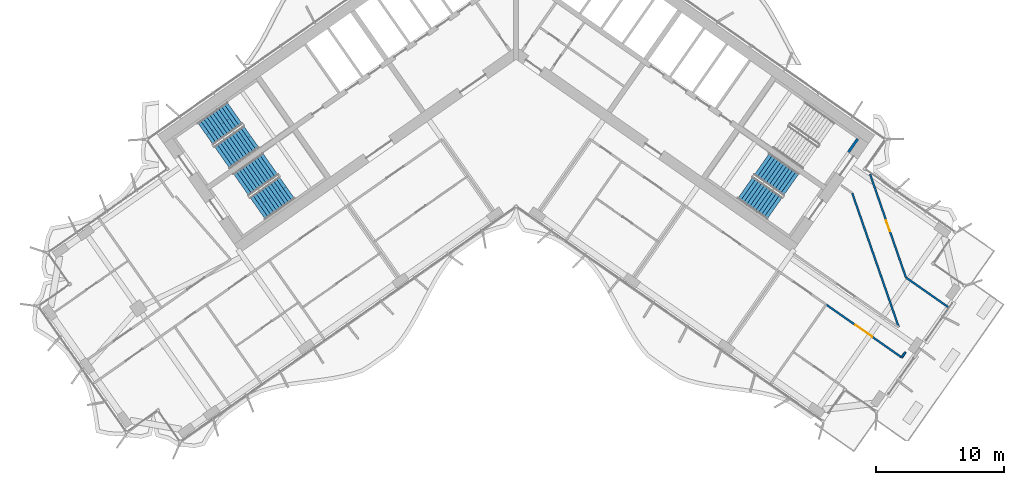
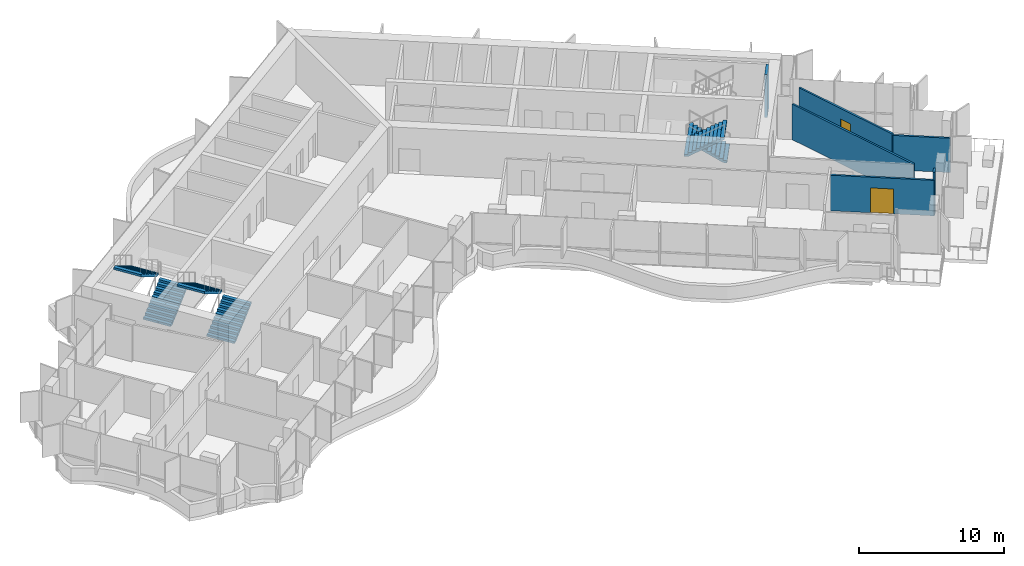
# One storey, part 16 of 23: 6 stair flights, 6 walls, 2 doors, 2 openings, 3 elements without a shape of their own.
"""IFC4 building model written with IfcOpenShell, lengths in metres."""

from ifc_helpers import new_model, si_unit, direction, frame, frame_2d, origin, place, context, subcontext, project, spatial, polyline, rectangle, outline, extrude, material, layer, layer_set, type_object, element, fill, aggregate, save


model = new_model("IFC4")

# Units and contexts
model_context = context("Model", 3, precision=1e-05, world=origin(), true_north=direction((0.0, 1.0)))
body_context = subcontext(model_context, "Body", "Model", "MODEL_VIEW")
ifc_project = project(units=[si_unit("LENGTHUNIT", "METRE"), si_unit("AREAUNIT", "SQUARE_METRE"), si_unit("VOLUMEUNIT", "CUBIC_METRE"), si_unit("PLANEANGLEUNIT", "RADIAN"), si_unit("MASSUNIT", "GRAM", prefix="KILO")], contexts=[model_context])

# Site, building, storey
site_placement = place(None, origin())
site = spatial("IfcSite", under=ifc_project, at=site_placement, CompositionType="ELEMENT")
building_placement = place(site_placement, origin())
building = spatial("IfcBuilding", under=site, at=building_placement, Name="Tel Ilan Convention Tower", CompositionType="ELEMENT")
storey_placement = place(building_placement, frame((0.0, 0.0, 190.5)))
storey = spatial("IfcBuildingStorey", under=building, at=storey_placement, Name="L44", CompositionType="ELEMENT", Elevation=190.5)

# Wall, opening, door
ifc_material_1 = material(Name="Plasterboard on Steel Studs", Category="steel")
ifc_layer_1 = layer(ifc_material_1, 0.14990234375)
ifc_layer_set_1 = layer_set([ifc_layer_1], Name="Fire-rated Partition 150 EI 60")
wall_type_1 = type_object("IfcWallType", Name="Fire-rated Partition 150 EI 60", PredefinedType="PARTITIONING", material=ifc_layer_set_1)
wall_1_placement = place(storey_placement, frame((30.09521484375, -24.4912109375, 0.0), z_axis=(0.0, 0.0, 1.0), x_axis=(-0.819144322262, 0.57358746439, 0.0)))
wall_1 = element("IfcWall", 1, at=wall_1_placement, inside=storey, type_object=wall_type_1, Name="Partition 006", PredefinedType="PARTITIONING", context=body_context, shape_type="SweptSolid", body=[
    extrude(rectangle(XDim=7.2021484375, YDim=0.14990234375, at=frame_2d((3.60107421875, 0.0))), origin(), (0.0, 0.0, 1.0), 3.0),
])
opening_1_placement = place(wall_1_placement, frame((2.801025390625, 0.0, 0.0)))
opening_1 = element("IfcOpeningElement", 2, at=opening_1_placement, cuts=wall_1, Name="Opening L44-017", PredefinedType="OPENING", context=body_context, shape_type="SweptSolid", body=[
    extrude(rectangle(XDim=1.60009765625, YDim=2.10009765625, at=frame_2d((0.800048828125, 1.050048828125))), frame((0.0, 0.0849609375, 0.0), z_axis=(0.0, -1.0, 0.0), x_axis=(1.0, 0.0, 0.0)), (0.0, 0.0, 1.0), 0.169921875),
])
ifc_material_2 = material(Name="Timber Door Leaf in Steel Frame", Category="steel")
door_type_1 = type_object("IfcDoorType", Name="Tenant Suite Entrance Fire Door 1600x2100", OperationType="NOTDEFINED", PredefinedType="DOOR", material=ifc_material_2)
door_1_placement = place(opening_1_placement, origin())
door_1 = element("IfcDoor", 3, at=door_1_placement, inside=storey, type_object=door_type_1, Name="Door L44-017", OperationType="DOUBLE_DOOR_SINGLE_SWING", OverallHeight=2.10009765625, OverallWidth=1.60009765625, PredefinedType="DOOR", context=body_context, shape_type="SweptSolid", body=[
    extrude(rectangle(XDim=1.60009765625, YDim=2.10009765625, at=frame_2d((0.800048828125, 1.050048828125))), frame((0.0, 0.02490234375, 0.0), z_axis=(0.0, -1.0, 0.0), x_axis=(1.0, 0.0, 0.0)), (0.0, 0.0, 1.0), 0.050048828125),
])
fill(opening_1, door_1)

# Wall
wall_2_placement = place(storey_placement, frame((30.390869140625, -24.06884765625, 0.0), z_axis=(0.0, 0.0, 1.0), x_axis=(-0.573462344363, -0.819231920519, 0.0)))
element("IfcWall", 4, at=wall_2_placement, inside=storey, type_object=wall_type_1, Name="Partition 007", PredefinedType="PARTITIONING", context=body_context, shape_type="SweptSolid", body=[
    extrude(rectangle(XDim=0.515625, YDim=0.14990234375, at=frame_2d((0.2578125, 0.0))), origin(), (0.0, 0.0, 1.0), 3.6201171875),
])

# Wall, opening, door
wall_3_placement = place(storey_placement, frame((30.42529296875, -18.2509765625, 0.0), z_axis=(0.0, 0.0, 1.0), x_axis=(-0.328044658963, 0.944662215676, 0.0)))
wall_3 = element("IfcWall", 5, at=wall_3_placement, inside=storey, type_object=wall_type_1, Name="Partition 015", PredefinedType="PARTITIONING", context=body_context, shape_type="SweptSolid", body=[
    extrude(rectangle(XDim=8.53564453125, YDim=0.14990234375, at=frame_2d((4.267822265625, 0.0))), origin(), (0.0, 0.0, 1.0), 3.0),
])
opening_2_placement = place(wall_3_placement, frame((3.81787109375, 0.0, 0.0)))
opening_2 = element("IfcOpeningElement", 6, at=opening_2_placement, cuts=wall_3, Name="Opening L44-020", PredefinedType="OPENING", context=body_context, shape_type="SweptSolid", body=[
    extrude(rectangle(XDim=0.89990234375, YDim=2.10009765625, at=frame_2d((0.449951171875, 1.050048828125))), frame((0.0, 0.0849609375, 0.0), z_axis=(0.0, -1.0, 0.0), x_axis=(1.0, 0.0, 0.0)), (0.0, 0.0, 1.0), 0.169921875),
])
ifc_material_3 = material(Name="Timber Door Leaf in Steel Frame", Category="steel")
door_type_2 = type_object("IfcDoorType", Name="Room Fire Door 900x2100", OperationType="NOTDEFINED", PredefinedType="DOOR", material=ifc_material_3)
door_2_placement = place(opening_2_placement, origin())
door_2 = element("IfcDoor", 7, at=door_2_placement, inside=storey, type_object=door_type_2, Name="Door L44-020", OperationType="SINGLE_SWING_LEFT", OverallHeight=2.10009765625, OverallWidth=0.89990234375, PredefinedType="DOOR", context=body_context, shape_type="SweptSolid", body=[
    extrude(rectangle(XDim=0.89990234375, YDim=2.10009765625, at=frame_2d((0.449951171875, 1.050048828125))), frame((0.0, 0.02490234375, 0.0), z_axis=(0.0, -1.0, 0.0), x_axis=(1.0, 0.0, 0.0)), (0.0, 0.0, 1.0), 0.050048828125),
])
fill(opening_2, door_2)

# Walls
wall_4_placement = place(storey_placement, frame((33.708984375, -20.55029296875, 0.0), z_axis=(0.0, 0.0, 1.0), x_axis=(-0.819146074823, 0.573584961538, 0.0)))
element("IfcWall", 8, at=wall_4_placement, inside=storey, type_object=wall_type_1, Name="Partition 016", PredefinedType="PARTITIONING", context=body_context, shape_type="SweptSolid", body=[
    extrude(rectangle(XDim=4.0087890625, YDim=0.14990234375, at=frame_2d((2.00439453125, 0.0))), origin(), (0.0, 0.0, 1.0), 2.89990234375),
])
wall_5_placement = place(storey_placement, frame((26.227783203125, -11.65087890625, 0.0), z_axis=(0.0, 0.0, 1.0), x_axis=(0.328068399041, -0.944653971331, 0.0)))
element("IfcWall", 9, at=wall_5_placement, inside=storey, type_object=wall_type_1, Name="Partition 018", PredefinedType="PARTITIONING", context=body_context, shape_type="SweptSolid", body=[
    extrude(rectangle(XDim=11.0986328125, YDim=0.14990234375, at=frame_2d((5.54931640625, 0.0))), origin(), (0.0, 0.0, 1.0), 3.0),
])
ifc_material_4 = material(Name="Concrete C30/37", Category="concrete")
ifc_layer_2 = layer(ifc_material_4, 0.199951171875)
ifc_layer_set_2 = layer_set([ifc_layer_2], Name="Stair and Shaft Lining Wall 200 mm C30/37")
wall_type_2 = type_object("IfcWallType", Name="Stair and Shaft Lining Wall 200 mm C30/37", PredefinedType="SOLIDWALL", material=ifc_layer_set_2)
wall_6_placement = place(storey_placement, frame((25.939697265625, -8.4580078125, 0.0), z_axis=(0.0, 0.0, 1.0), x_axis=(0.573619628835, 0.819121798889, 0.0)))
element("IfcWall", 10, at=wall_6_placement, inside=storey, type_object=wall_type_2, Name="L44 core wall lining-S3-u1-1", PredefinedType="SOLIDWALL", context=body_context, shape_type="SweptSolid", body=[
    extrude(rectangle(XDim=1.25, YDim=0.199951171875, at=frame_2d((0.625, 0.0))), origin(), (0.0, 0.0, 1.0), 3.6201171875),
])

# Stair, stair flights
ifc_material_5 = material(Name="Concrete C40/50", Category="concrete")
stair_type = type_object("IfcStairType", Name="Pressurised Exit Stair 22 risers 177 mm", PredefinedType="HALF_TURN_STAIR", material=ifc_material_5)
stair_1_placement = place(storey_placement, origin())
stair_1 = element("IfcStair", 11, at=stair_1_placement, inside=storey, type_object=stair_type, Name="L44 Pressurised Stair S1", PredefinedType="HALF_TURN_STAIR")
ifc_material_6 = material(Name="Precast Concrete C40/50", Category="concrete")
stair_flight_type = type_object("IfcStairFlightType", Name="Concrete Stair Flight 2100 mm 22 risers 177 mm", PredefinedType="STRAIGHT", material=ifc_material_6)
stair_flight_1_placement = place(storey_placement, frame((-22.9619140625, -8.87548828125, 0.0), z_axis=(0.0, 0.0, 1.0), x_axis=(0.819152044289, 0.573576436351, 0.0)))
stair_flight_1 = element("IfcStairFlight", 12, at=stair_flight_1_placement, type_object=stair_flight_type, Name="S1 flight 1", NumberOfRisers=11, NumberOfTreads=10, PredefinedType="STRAIGHT", RiserHeight=0.177272727, TreadLength=0.28, context=body_context, shape_type="SweptSolid", body=[
    extrude(outline(polyline([(0.0, 0.0), (0.0, 0.17724609375), (0.280029296875, 0.17724609375), (0.280029296875, 0.3544921875), (0.56005859375, 0.3544921875), (0.56005859375, 0.53173828125), (0.840087890625, 0.53173828125), (0.840087890625, 0.708984375), (1.1201171875, 0.708984375), (1.1201171875, 0.886474609375), (1.39990234375, 0.886474609375), (1.39990234375, 1.063720703125), (1.679931640625, 1.063720703125), (1.679931640625, 1.240966796875), (1.9599609375, 1.240966796875), (1.9599609375, 1.418212890625), (2.239990234375, 1.418212890625), (2.239990234375, 1.595458984375), (2.52001953125, 1.595458984375), (2.52001953125, 1.772705078125), (2.800048828125, 1.772705078125), (2.800048828125, 1.949951171875), (2.800048828125, 1.59521484375), (0.2802734375, 0.0), (0.0, 0.0)])), frame((0.0, -0.100341796875, 0.0), z_axis=(0.0, -1.0, 0.0), x_axis=(1.0, 0.0, 0.0)), (0.0, 0.0, 1.0), 0.94970703125),
    extrude(outline(polyline([(0.0, 0.0), (0.0, 0.17724609375), (0.280029296875, 0.17724609375), (0.280029296875, 0.3544921875), (0.56005859375, 0.3544921875), (0.56005859375, 0.53173828125), (0.840087890625, 0.53173828125), (0.840087890625, 0.708984375), (1.1201171875, 0.708984375), (1.1201171875, 0.886474609375), (1.39990234375, 0.886474609375), (1.39990234375, 1.063720703125), (1.679931640625, 1.063720703125), (1.679931640625, 1.240966796875), (1.9599609375, 1.240966796875), (1.9599609375, 1.418212890625), (2.239990234375, 1.418212890625), (2.239990234375, 1.595458984375), (2.52001953125, 1.595458984375), (2.52001953125, 1.772705078125), (2.800048828125, 1.772705078125), (2.800048828125, 1.949951171875), (2.800048828125, 1.59521484375), (0.2802734375, 0.0), (0.0, 0.0)])), frame((0.0, -0.000244140625, 0.0), z_axis=(0.0, -1.0, 0.0), x_axis=(1.0, 0.0, 0.0)), (0.0, 0.0, 1.0), 0.099609375),
    extrude(outline(polyline([(0.0, 0.0), (0.0, 0.17724609375), (0.280029296875, 0.17724609375), (0.280029296875, 0.3544921875), (0.56005859375, 0.3544921875), (0.56005859375, 0.53173828125), (0.840087890625, 0.53173828125), (0.840087890625, 0.708984375), (1.1201171875, 0.708984375), (1.1201171875, 0.886474609375), (1.39990234375, 0.886474609375), (1.39990234375, 1.063720703125), (1.679931640625, 1.063720703125), (1.679931640625, 1.240966796875), (1.9599609375, 1.240966796875), (1.9599609375, 1.418212890625), (2.239990234375, 1.418212890625), (2.239990234375, 1.595458984375), (2.52001953125, 1.595458984375), (2.52001953125, 1.772705078125), (2.800048828125, 1.772705078125), (2.800048828125, 1.949951171875), (2.800048828125, 1.59521484375), (0.2802734375, 0.0), (0.0, 0.0)])), frame((0.0, 0.099853515625, 0.0), z_axis=(0.0, -1.0, 0.0), x_axis=(1.0, 0.0, 0.0)), (0.0, 0.0, 1.0), 0.099609375),
    extrude(outline(polyline([(0.0, 0.0), (0.0, 0.17724609375), (0.280029296875, 0.17724609375), (0.280029296875, 0.3544921875), (0.56005859375, 0.3544921875), (0.56005859375, 0.53173828125), (0.840087890625, 0.53173828125), (0.840087890625, 0.708984375), (1.1201171875, 0.708984375), (1.1201171875, 0.886474609375), (1.39990234375, 0.886474609375), (1.39990234375, 1.063720703125), (1.679931640625, 1.063720703125), (1.679931640625, 1.240966796875), (1.9599609375, 1.240966796875), (1.9599609375, 1.418212890625), (2.239990234375, 1.418212890625), (2.239990234375, 1.595458984375), (2.52001953125, 1.595458984375), (2.52001953125, 1.772705078125), (2.800048828125, 1.772705078125), (2.800048828125, 1.949951171875), (2.800048828125, 1.59521484375), (0.2802734375, 0.0), (0.0, 0.0)])), frame((0.0, 1.050048828125, 0.0), z_axis=(0.0, -1.0, 0.0), x_axis=(1.0, 0.0, 0.0)), (0.0, 0.0, 1.0), 0.94970703125),
])
stair_flight_2_placement = place(storey_placement, frame((-21.958740234375, -5.42626953125, 1.949951171875), z_axis=(0.0, 0.0, 1.0), x_axis=(-0.819152044289, -0.573576436351, 0.0)))
stair_flight_2 = element("IfcStairFlight", 13, at=stair_flight_2_placement, type_object=stair_flight_type, Name="S1 flight 2", NumberOfRisers=11, NumberOfTreads=10, PredefinedType="STRAIGHT", RiserHeight=0.177272727, TreadLength=0.28, context=body_context, shape_type="SweptSolid", body=[
    extrude(outline(polyline([(0.0, 0.0), (0.0, 0.17724609375), (0.280029296875, 0.17724609375), (0.280029296875, 0.3544921875), (0.56005859375, 0.3544921875), (0.56005859375, 0.53173828125), (0.840087890625, 0.53173828125), (0.840087890625, 0.708984375), (1.1201171875, 0.708984375), (1.1201171875, 0.886474609375), (1.39990234375, 0.886474609375), (1.39990234375, 1.063720703125), (1.679931640625, 1.063720703125), (1.679931640625, 1.240966796875), (1.9599609375, 1.240966796875), (1.9599609375, 1.418212890625), (2.239990234375, 1.418212890625), (2.239990234375, 1.595458984375), (2.52001953125, 1.595458984375), (2.52001953125, 1.772705078125), (2.800048828125, 1.772705078125), (2.800048828125, 1.949951171875), (2.800048828125, 1.59521484375), (0.2802734375, 0.0), (0.0, 0.0)])), frame((0.0, -0.100341796875, 0.0), z_axis=(0.0, -1.0, 0.0), x_axis=(1.0, 0.0, 0.0)), (0.0, 0.0, 1.0), 0.94970703125),
    extrude(outline(polyline([(0.0, 0.0), (0.0, 0.17724609375), (0.280029296875, 0.17724609375), (0.280029296875, 0.3544921875), (0.56005859375, 0.3544921875), (0.56005859375, 0.53173828125), (0.840087890625, 0.53173828125), (0.840087890625, 0.708984375), (1.1201171875, 0.708984375), (1.1201171875, 0.886474609375), (1.39990234375, 0.886474609375), (1.39990234375, 1.063720703125), (1.679931640625, 1.063720703125), (1.679931640625, 1.240966796875), (1.9599609375, 1.240966796875), (1.9599609375, 1.418212890625), (2.239990234375, 1.418212890625), (2.239990234375, 1.595458984375), (2.52001953125, 1.595458984375), (2.52001953125, 1.772705078125), (2.800048828125, 1.772705078125), (2.800048828125, 1.949951171875), (2.800048828125, 1.59521484375), (0.2802734375, 0.0), (0.0, 0.0)])), frame((0.0, -0.000244140625, 0.0), z_axis=(0.0, -1.0, 0.0), x_axis=(1.0, 0.0, 0.0)), (0.0, 0.0, 1.0), 0.099609375),
    extrude(outline(polyline([(0.0, 0.0), (0.0, 0.17724609375), (0.280029296875, 0.17724609375), (0.280029296875, 0.3544921875), (0.56005859375, 0.3544921875), (0.56005859375, 0.53173828125), (0.840087890625, 0.53173828125), (0.840087890625, 0.708984375), (1.1201171875, 0.708984375), (1.1201171875, 0.886474609375), (1.39990234375, 0.886474609375), (1.39990234375, 1.063720703125), (1.679931640625, 1.063720703125), (1.679931640625, 1.240966796875), (1.9599609375, 1.240966796875), (1.9599609375, 1.418212890625), (2.239990234375, 1.418212890625), (2.239990234375, 1.595458984375), (2.52001953125, 1.595458984375), (2.52001953125, 1.772705078125), (2.800048828125, 1.772705078125), (2.800048828125, 1.949951171875), (2.800048828125, 1.59521484375), (0.2802734375, 0.0), (0.0, 0.0)])), frame((0.0, 0.099853515625, 0.0), z_axis=(0.0, -1.0, 0.0), x_axis=(1.0, 0.0, 0.0)), (0.0, 0.0, 1.0), 0.099609375),
    extrude(outline(polyline([(0.0, 0.0), (0.0, 0.17724609375), (0.280029296875, 0.17724609375), (0.280029296875, 0.3544921875), (0.56005859375, 0.3544921875), (0.56005859375, 0.53173828125), (0.840087890625, 0.53173828125), (0.840087890625, 0.708984375), (1.1201171875, 0.708984375), (1.1201171875, 0.886474609375), (1.39990234375, 0.886474609375), (1.39990234375, 1.063720703125), (1.679931640625, 1.063720703125), (1.679931640625, 1.240966796875), (1.9599609375, 1.240966796875), (1.9599609375, 1.418212890625), (2.239990234375, 1.418212890625), (2.239990234375, 1.595458984375), (2.52001953125, 1.595458984375), (2.52001953125, 1.772705078125), (2.800048828125, 1.772705078125), (2.800048828125, 1.949951171875), (2.800048828125, 1.59521484375), (0.2802734375, 0.0), (0.0, 0.0)])), frame((0.0, 1.050048828125, 0.0), z_axis=(0.0, -1.0, 0.0), x_axis=(1.0, 0.0, 0.0)), (0.0, 0.0, 1.0), 0.94970703125),
])
aggregate(stair_1, [stair_flight_1, stair_flight_2])

stair_2_placement = place(storey_placement, origin())
stair_2 = element("IfcStair", 14, at=stair_2_placement, inside=storey, type_object=stair_type, Name="L44 Pressurised Stair S2", PredefinedType="HALF_TURN_STAIR")
stair_flight_3_placement = place(storey_placement, frame((-20.179931640625, -12.848388671875, 0.0), z_axis=(0.0, 0.0, 1.0), x_axis=(0.819152044289, 0.573576436351, 0.0)))
stair_flight_3 = element("IfcStairFlight", 15, at=stair_flight_3_placement, type_object=stair_flight_type, Name="S2 flight 1", NumberOfRisers=11, NumberOfTreads=10, PredefinedType="STRAIGHT", RiserHeight=0.177272727, TreadLength=0.28, context=body_context, shape_type="SweptSolid", body=[
    extrude(outline(polyline([(0.0, 0.0), (0.0, 0.17724609375), (0.280029296875, 0.17724609375), (0.280029296875, 0.3544921875), (0.56005859375, 0.3544921875), (0.56005859375, 0.53173828125), (0.840087890625, 0.53173828125), (0.840087890625, 0.708984375), (1.1201171875, 0.708984375), (1.1201171875, 0.886474609375), (1.39990234375, 0.886474609375), (1.39990234375, 1.063720703125), (1.679931640625, 1.063720703125), (1.679931640625, 1.240966796875), (1.9599609375, 1.240966796875), (1.9599609375, 1.418212890625), (2.239990234375, 1.418212890625), (2.239990234375, 1.595458984375), (2.52001953125, 1.595458984375), (2.52001953125, 1.772705078125), (2.800048828125, 1.772705078125), (2.800048828125, 1.949951171875), (2.800048828125, 1.59521484375), (0.2802734375, 0.0), (0.0, 0.0)])), frame((0.0, -0.100341796875, 0.0), z_axis=(0.0, -1.0, 0.0), x_axis=(1.0, 0.0, 0.0)), (0.0, 0.0, 1.0), 0.94970703125),
    extrude(outline(polyline([(0.0, 0.0), (0.0, 0.17724609375), (0.280029296875, 0.17724609375), (0.280029296875, 0.3544921875), (0.56005859375, 0.3544921875), (0.56005859375, 0.53173828125), (0.840087890625, 0.53173828125), (0.840087890625, 0.708984375), (1.1201171875, 0.708984375), (1.1201171875, 0.886474609375), (1.39990234375, 0.886474609375), (1.39990234375, 1.063720703125), (1.679931640625, 1.063720703125), (1.679931640625, 1.240966796875), (1.9599609375, 1.240966796875), (1.9599609375, 1.418212890625), (2.239990234375, 1.418212890625), (2.239990234375, 1.595458984375), (2.52001953125, 1.595458984375), (2.52001953125, 1.772705078125), (2.800048828125, 1.772705078125), (2.800048828125, 1.949951171875), (2.800048828125, 1.59521484375), (0.2802734375, 0.0), (0.0, 0.0)])), frame((0.0, -0.000244140625, 0.0), z_axis=(0.0, -1.0, 0.0), x_axis=(1.0, 0.0, 0.0)), (0.0, 0.0, 1.0), 0.099609375),
    extrude(outline(polyline([(0.0, 0.0), (0.0, 0.17724609375), (0.280029296875, 0.17724609375), (0.280029296875, 0.3544921875), (0.56005859375, 0.3544921875), (0.56005859375, 0.53173828125), (0.840087890625, 0.53173828125), (0.840087890625, 0.708984375), (1.1201171875, 0.708984375), (1.1201171875, 0.886474609375), (1.39990234375, 0.886474609375), (1.39990234375, 1.063720703125), (1.679931640625, 1.063720703125), (1.679931640625, 1.240966796875), (1.9599609375, 1.240966796875), (1.9599609375, 1.418212890625), (2.239990234375, 1.418212890625), (2.239990234375, 1.595458984375), (2.52001953125, 1.595458984375), (2.52001953125, 1.772705078125), (2.800048828125, 1.772705078125), (2.800048828125, 1.949951171875), (2.800048828125, 1.59521484375), (0.2802734375, 0.0), (0.0, 0.0)])), frame((0.0, 0.099853515625, 0.0), z_axis=(0.0, -1.0, 0.0), x_axis=(1.0, 0.0, 0.0)), (0.0, 0.0, 1.0), 0.099609375),
    extrude(outline(polyline([(0.0, 0.0), (0.0, 0.17724609375), (0.280029296875, 0.17724609375), (0.280029296875, 0.3544921875), (0.56005859375, 0.3544921875), (0.56005859375, 0.53173828125), (0.840087890625, 0.53173828125), (0.840087890625, 0.708984375), (1.1201171875, 0.708984375), (1.1201171875, 0.886474609375), (1.39990234375, 0.886474609375), (1.39990234375, 1.063720703125), (1.679931640625, 1.063720703125), (1.679931640625, 1.240966796875), (1.9599609375, 1.240966796875), (1.9599609375, 1.418212890625), (2.239990234375, 1.418212890625), (2.239990234375, 1.595458984375), (2.52001953125, 1.595458984375), (2.52001953125, 1.772705078125), (2.800048828125, 1.772705078125), (2.800048828125, 1.949951171875), (2.800048828125, 1.59521484375), (0.2802734375, 0.0), (0.0, 0.0)])), frame((0.0, 1.050048828125, 0.0), z_axis=(0.0, -1.0, 0.0), x_axis=(1.0, 0.0, 0.0)), (0.0, 0.0, 1.0), 0.94970703125),
])
stair_flight_4_placement = place(storey_placement, frame((-19.177001953125, -9.399169921875, 1.949951171875), z_axis=(0.0, 0.0, 1.0), x_axis=(-0.819152044289, -0.573576436351, 0.0)))
stair_flight_4 = element("IfcStairFlight", 16, at=stair_flight_4_placement, type_object=stair_flight_type, Name="S2 flight 2", NumberOfRisers=11, NumberOfTreads=10, PredefinedType="STRAIGHT", RiserHeight=0.177272727, TreadLength=0.28, context=body_context, shape_type="SweptSolid", body=[
    extrude(outline(polyline([(0.0, 0.0), (0.0, 0.17724609375), (0.280029296875, 0.17724609375), (0.280029296875, 0.3544921875), (0.56005859375, 0.3544921875), (0.56005859375, 0.53173828125), (0.840087890625, 0.53173828125), (0.840087890625, 0.708984375), (1.1201171875, 0.708984375), (1.1201171875, 0.886474609375), (1.39990234375, 0.886474609375), (1.39990234375, 1.063720703125), (1.679931640625, 1.063720703125), (1.679931640625, 1.240966796875), (1.9599609375, 1.240966796875), (1.9599609375, 1.418212890625), (2.239990234375, 1.418212890625), (2.239990234375, 1.595458984375), (2.52001953125, 1.595458984375), (2.52001953125, 1.772705078125), (2.800048828125, 1.772705078125), (2.800048828125, 1.949951171875), (2.800048828125, 1.59521484375), (0.2802734375, 0.0), (0.0, 0.0)])), frame((0.0, -0.100341796875, 0.0), z_axis=(0.0, -1.0, 0.0), x_axis=(1.0, 0.0, 0.0)), (0.0, 0.0, 1.0), 0.94970703125),
    extrude(outline(polyline([(0.0, 0.0), (0.0, 0.17724609375), (0.280029296875, 0.17724609375), (0.280029296875, 0.3544921875), (0.56005859375, 0.3544921875), (0.56005859375, 0.53173828125), (0.840087890625, 0.53173828125), (0.840087890625, 0.708984375), (1.1201171875, 0.708984375), (1.1201171875, 0.886474609375), (1.39990234375, 0.886474609375), (1.39990234375, 1.063720703125), (1.679931640625, 1.063720703125), (1.679931640625, 1.240966796875), (1.9599609375, 1.240966796875), (1.9599609375, 1.418212890625), (2.239990234375, 1.418212890625), (2.239990234375, 1.595458984375), (2.52001953125, 1.595458984375), (2.52001953125, 1.772705078125), (2.800048828125, 1.772705078125), (2.800048828125, 1.949951171875), (2.800048828125, 1.59521484375), (0.2802734375, 0.0), (0.0, 0.0)])), frame((0.0, -0.000244140625, 0.0), z_axis=(0.0, -1.0, 0.0), x_axis=(1.0, 0.0, 0.0)), (0.0, 0.0, 1.0), 0.099609375),
    extrude(outline(polyline([(0.0, 0.0), (0.0, 0.17724609375), (0.280029296875, 0.17724609375), (0.280029296875, 0.3544921875), (0.56005859375, 0.3544921875), (0.56005859375, 0.53173828125), (0.840087890625, 0.53173828125), (0.840087890625, 0.708984375), (1.1201171875, 0.708984375), (1.1201171875, 0.886474609375), (1.39990234375, 0.886474609375), (1.39990234375, 1.063720703125), (1.679931640625, 1.063720703125), (1.679931640625, 1.240966796875), (1.9599609375, 1.240966796875), (1.9599609375, 1.418212890625), (2.239990234375, 1.418212890625), (2.239990234375, 1.595458984375), (2.52001953125, 1.595458984375), (2.52001953125, 1.772705078125), (2.800048828125, 1.772705078125), (2.800048828125, 1.949951171875), (2.800048828125, 1.59521484375), (0.2802734375, 0.0), (0.0, 0.0)])), frame((0.0, 0.099853515625, 0.0), z_axis=(0.0, -1.0, 0.0), x_axis=(1.0, 0.0, 0.0)), (0.0, 0.0, 1.0), 0.099609375),
    extrude(outline(polyline([(0.0, 0.0), (0.0, 0.17724609375), (0.280029296875, 0.17724609375), (0.280029296875, 0.3544921875), (0.56005859375, 0.3544921875), (0.56005859375, 0.53173828125), (0.840087890625, 0.53173828125), (0.840087890625, 0.708984375), (1.1201171875, 0.708984375), (1.1201171875, 0.886474609375), (1.39990234375, 0.886474609375), (1.39990234375, 1.063720703125), (1.679931640625, 1.063720703125), (1.679931640625, 1.240966796875), (1.9599609375, 1.240966796875), (1.9599609375, 1.418212890625), (2.239990234375, 1.418212890625), (2.239990234375, 1.595458984375), (2.52001953125, 1.595458984375), (2.52001953125, 1.772705078125), (2.800048828125, 1.772705078125), (2.800048828125, 1.949951171875), (2.800048828125, 1.59521484375), (0.2802734375, 0.0), (0.0, 0.0)])), frame((0.0, 1.050048828125, 0.0), z_axis=(0.0, -1.0, 0.0), x_axis=(1.0, 0.0, 0.0)), (0.0, 0.0, 1.0), 0.94970703125),
])
aggregate(stair_2, [stair_flight_3, stair_flight_4])

stair_3_placement = place(storey_placement, origin())
stair_3 = element("IfcStair", 17, at=stair_3_placement, inside=storey, type_object=stair_type, Name="L44 Pressurised Stair S4", PredefinedType="HALF_TURN_STAIR")
stair_flight_5_placement = place(storey_placement, frame((21.470458984375, -11.00537109375, 0.0), z_axis=(0.0, 0.0, 1.0), x_axis=(-0.819152044289, 0.573576436351, 0.0)))
stair_flight_5 = element("IfcStairFlight", 18, at=stair_flight_5_placement, type_object=stair_flight_type, Name="S4 flight 1", NumberOfRisers=11, NumberOfTreads=10, PredefinedType="STRAIGHT", RiserHeight=0.177272727, TreadLength=0.28, context=body_context, shape_type="SweptSolid", body=[
    extrude(outline(polyline([(0.0, 0.0), (0.0, 0.17724609375), (0.280029296875, 0.17724609375), (0.280029296875, 0.3544921875), (0.56005859375, 0.3544921875), (0.56005859375, 0.53173828125), (0.840087890625, 0.53173828125), (0.840087890625, 0.708984375), (1.1201171875, 0.708984375), (1.1201171875, 0.886474609375), (1.39990234375, 0.886474609375), (1.39990234375, 1.063720703125), (1.679931640625, 1.063720703125), (1.679931640625, 1.240966796875), (1.9599609375, 1.240966796875), (1.9599609375, 1.418212890625), (2.239990234375, 1.418212890625), (2.239990234375, 1.595458984375), (2.52001953125, 1.595458984375), (2.52001953125, 1.772705078125), (2.800048828125, 1.772705078125), (2.800048828125, 1.949951171875), (2.800048828125, 1.59521484375), (0.2802734375, 0.0), (0.0, 0.0)])), frame((0.0, -0.100341796875, 0.0), z_axis=(0.0, -1.0, 0.0), x_axis=(1.0, 0.0, 0.0)), (0.0, 0.0, 1.0), 0.94970703125),
    extrude(outline(polyline([(0.0, 0.0), (0.0, 0.17724609375), (0.280029296875, 0.17724609375), (0.280029296875, 0.3544921875), (0.56005859375, 0.3544921875), (0.56005859375, 0.53173828125), (0.840087890625, 0.53173828125), (0.840087890625, 0.708984375), (1.1201171875, 0.708984375), (1.1201171875, 0.886474609375), (1.39990234375, 0.886474609375), (1.39990234375, 1.063720703125), (1.679931640625, 1.063720703125), (1.679931640625, 1.240966796875), (1.9599609375, 1.240966796875), (1.9599609375, 1.418212890625), (2.239990234375, 1.418212890625), (2.239990234375, 1.595458984375), (2.52001953125, 1.595458984375), (2.52001953125, 1.772705078125), (2.800048828125, 1.772705078125), (2.800048828125, 1.949951171875), (2.800048828125, 1.59521484375), (0.2802734375, 0.0), (0.0, 0.0)])), frame((0.0, -0.000244140625, 0.0), z_axis=(0.0, -1.0, 0.0), x_axis=(1.0, 0.0, 0.0)), (0.0, 0.0, 1.0), 0.099609375),
    extrude(outline(polyline([(0.0, 0.0), (0.0, 0.17724609375), (0.280029296875, 0.17724609375), (0.280029296875, 0.3544921875), (0.56005859375, 0.3544921875), (0.56005859375, 0.53173828125), (0.840087890625, 0.53173828125), (0.840087890625, 0.708984375), (1.1201171875, 0.708984375), (1.1201171875, 0.886474609375), (1.39990234375, 0.886474609375), (1.39990234375, 1.063720703125), (1.679931640625, 1.063720703125), (1.679931640625, 1.240966796875), (1.9599609375, 1.240966796875), (1.9599609375, 1.418212890625), (2.239990234375, 1.418212890625), (2.239990234375, 1.595458984375), (2.52001953125, 1.595458984375), (2.52001953125, 1.772705078125), (2.800048828125, 1.772705078125), (2.800048828125, 1.949951171875), (2.800048828125, 1.59521484375), (0.2802734375, 0.0), (0.0, 0.0)])), frame((0.0, 0.099853515625, 0.0), z_axis=(0.0, -1.0, 0.0), x_axis=(1.0, 0.0, 0.0)), (0.0, 0.0, 1.0), 0.099609375),
    extrude(outline(polyline([(0.0, 0.0), (0.0, 0.17724609375), (0.280029296875, 0.17724609375), (0.280029296875, 0.3544921875), (0.56005859375, 0.3544921875), (0.56005859375, 0.53173828125), (0.840087890625, 0.53173828125), (0.840087890625, 0.708984375), (1.1201171875, 0.708984375), (1.1201171875, 0.886474609375), (1.39990234375, 0.886474609375), (1.39990234375, 1.063720703125), (1.679931640625, 1.063720703125), (1.679931640625, 1.240966796875), (1.9599609375, 1.240966796875), (1.9599609375, 1.418212890625), (2.239990234375, 1.418212890625), (2.239990234375, 1.595458984375), (2.52001953125, 1.595458984375), (2.52001953125, 1.772705078125), (2.800048828125, 1.772705078125), (2.800048828125, 1.949951171875), (2.800048828125, 1.59521484375), (0.2802734375, 0.0), (0.0, 0.0)])), frame((0.0, 1.050048828125, 0.0), z_axis=(0.0, -1.0, 0.0), x_axis=(1.0, 0.0, 0.0)), (0.0, 0.0, 1.0), 0.94970703125),
])
stair_flight_6_placement = place(storey_placement, frame((17.886474609375, -11.242431640625, 1.949951171875), z_axis=(0.0, 0.0, 1.0), x_axis=(0.819152044289, -0.573576436351, 0.0)))
stair_flight_6 = element("IfcStairFlight", 19, at=stair_flight_6_placement, type_object=stair_flight_type, Name="S4 flight 2", NumberOfRisers=11, NumberOfTreads=10, PredefinedType="STRAIGHT", RiserHeight=0.177272727, TreadLength=0.28, context=body_context, shape_type="SweptSolid", body=[
    extrude(outline(polyline([(0.0, 0.0), (0.0, 0.17724609375), (0.280029296875, 0.17724609375), (0.280029296875, 0.3544921875), (0.56005859375, 0.3544921875), (0.56005859375, 0.53173828125), (0.840087890625, 0.53173828125), (0.840087890625, 0.708984375), (1.1201171875, 0.708984375), (1.1201171875, 0.886474609375), (1.39990234375, 0.886474609375), (1.39990234375, 1.063720703125), (1.679931640625, 1.063720703125), (1.679931640625, 1.240966796875), (1.9599609375, 1.240966796875), (1.9599609375, 1.418212890625), (2.239990234375, 1.418212890625), (2.239990234375, 1.595458984375), (2.52001953125, 1.595458984375), (2.52001953125, 1.772705078125), (2.800048828125, 1.772705078125), (2.800048828125, 1.949951171875), (2.800048828125, 1.59521484375), (0.2802734375, 0.0), (0.0, 0.0)])), frame((0.0, -0.100341796875, 0.0), z_axis=(0.0, -1.0, 0.0), x_axis=(1.0, 0.0, 0.0)), (0.0, 0.0, 1.0), 0.94970703125),
    extrude(outline(polyline([(0.0, 0.0), (0.0, 0.17724609375), (0.280029296875, 0.17724609375), (0.280029296875, 0.3544921875), (0.56005859375, 0.3544921875), (0.56005859375, 0.53173828125), (0.840087890625, 0.53173828125), (0.840087890625, 0.708984375), (1.1201171875, 0.708984375), (1.1201171875, 0.886474609375), (1.39990234375, 0.886474609375), (1.39990234375, 1.063720703125), (1.679931640625, 1.063720703125), (1.679931640625, 1.240966796875), (1.9599609375, 1.240966796875), (1.9599609375, 1.418212890625), (2.239990234375, 1.418212890625), (2.239990234375, 1.595458984375), (2.52001953125, 1.595458984375), (2.52001953125, 1.772705078125), (2.800048828125, 1.772705078125), (2.800048828125, 1.949951171875), (2.800048828125, 1.59521484375), (0.2802734375, 0.0), (0.0, 0.0)])), frame((0.0, -0.000244140625, 0.0), z_axis=(0.0, -1.0, 0.0), x_axis=(1.0, 0.0, 0.0)), (0.0, 0.0, 1.0), 0.099609375),
    extrude(outline(polyline([(0.0, 0.0), (0.0, 0.17724609375), (0.280029296875, 0.17724609375), (0.280029296875, 0.3544921875), (0.56005859375, 0.3544921875), (0.56005859375, 0.53173828125), (0.840087890625, 0.53173828125), (0.840087890625, 0.708984375), (1.1201171875, 0.708984375), (1.1201171875, 0.886474609375), (1.39990234375, 0.886474609375), (1.39990234375, 1.063720703125), (1.679931640625, 1.063720703125), (1.679931640625, 1.240966796875), (1.9599609375, 1.240966796875), (1.9599609375, 1.418212890625), (2.239990234375, 1.418212890625), (2.239990234375, 1.595458984375), (2.52001953125, 1.595458984375), (2.52001953125, 1.772705078125), (2.800048828125, 1.772705078125), (2.800048828125, 1.949951171875), (2.800048828125, 1.59521484375), (0.2802734375, 0.0), (0.0, 0.0)])), frame((0.0, 0.099853515625, 0.0), z_axis=(0.0, -1.0, 0.0), x_axis=(1.0, 0.0, 0.0)), (0.0, 0.0, 1.0), 0.099609375),
    extrude(outline(polyline([(0.0, 0.0), (0.0, 0.17724609375), (0.280029296875, 0.17724609375), (0.280029296875, 0.3544921875), (0.56005859375, 0.3544921875), (0.56005859375, 0.53173828125), (0.840087890625, 0.53173828125), (0.840087890625, 0.708984375), (1.1201171875, 0.708984375), (1.1201171875, 0.886474609375), (1.39990234375, 0.886474609375), (1.39990234375, 1.063720703125), (1.679931640625, 1.063720703125), (1.679931640625, 1.240966796875), (1.9599609375, 1.240966796875), (1.9599609375, 1.418212890625), (2.239990234375, 1.418212890625), (2.239990234375, 1.595458984375), (2.52001953125, 1.595458984375), (2.52001953125, 1.772705078125), (2.800048828125, 1.772705078125), (2.800048828125, 1.949951171875), (2.800048828125, 1.59521484375), (0.2802734375, 0.0), (0.0, 0.0)])), frame((0.0, 1.050048828125, 0.0), z_axis=(0.0, -1.0, 0.0), x_axis=(1.0, 0.0, 0.0)), (0.0, 0.0, 1.0), 0.94970703125),
])
aggregate(stair_3, [stair_flight_5, stair_flight_6])

save(model, "model.ifc")
